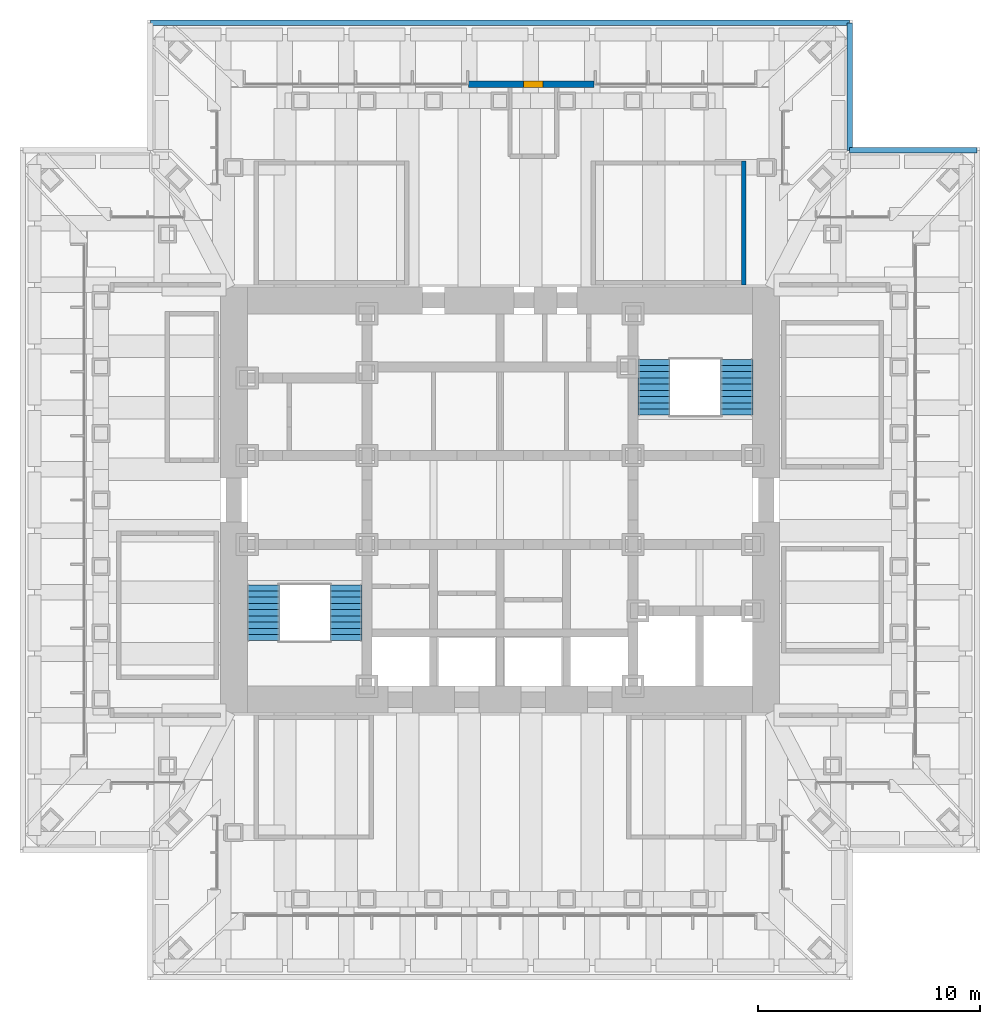
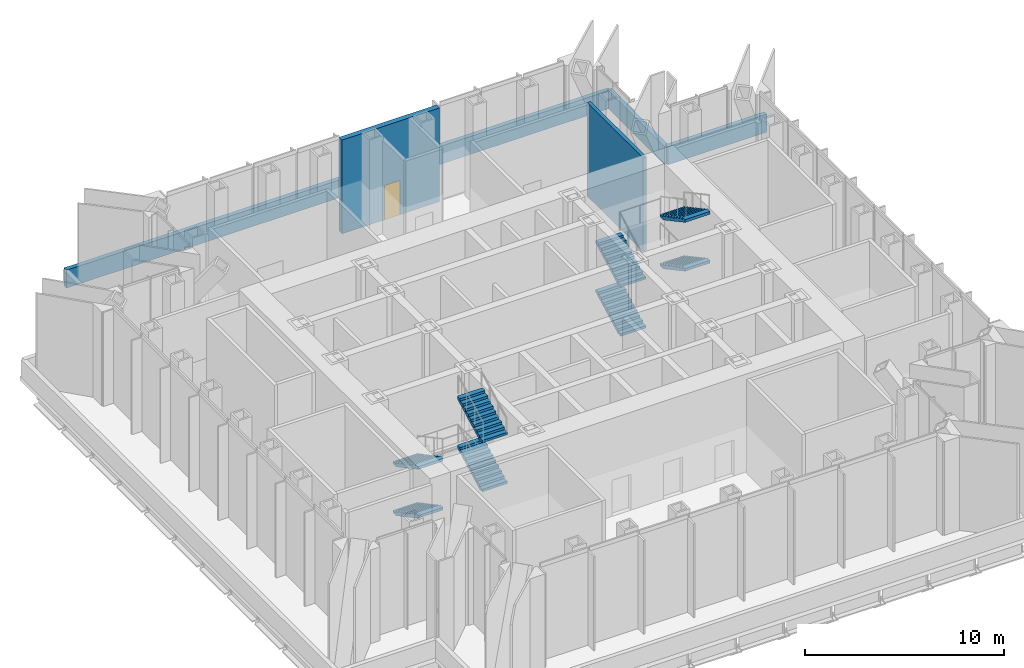
# One storey, part 11 of 13: 8 stair flights, 5 walls, 1 door, 1 opening, 2 elements without a shape of their own.
"""IFC4 building model written with IfcOpenShell, lengths in metres."""

from ifc_helpers import new_model, si_unit, direction, frame, frame_2d, origin, place, context, subcontext, project, spatial, polyline, rectangle, outline, extrude, material, layer, layer_set, type_object, element, fill, aggregate, save


model = new_model("IFC4")

# Units and contexts
model_context = context("Model", 3, precision=1e-05, world=origin(), true_north=direction((0.0, 1.0)))
body_context = subcontext(model_context, "Body", "Model", "MODEL_VIEW")
ifc_project = project(units=[si_unit("LENGTHUNIT", "METRE"), si_unit("AREAUNIT", "SQUARE_METRE"), si_unit("VOLUMEUNIT", "CUBIC_METRE"), si_unit("PLANEANGLEUNIT", "RADIAN"), si_unit("MASSUNIT", "GRAM", prefix="KILO")], contexts=[model_context])

# Site, building, storey
site_placement = place(None, origin())
site = spatial("IfcSite", under=ifc_project, at=site_placement, CompositionType="ELEMENT")
building_placement = place(site_placement, origin())
building = spatial("IfcBuilding", under=site, at=building_placement, Name="Daluyong Arena Tower", CompositionType="ELEMENT")
storey_placement = place(building_placement, frame((0.0, 0.0, 279.699951171875)))
storey = spatial("IfcBuildingStorey", under=building, at=storey_placement, Name="L63", CompositionType="ELEMENT", Elevation=279.699951171875)

# Wall
ifc_material_1 = material(Name="Concrete block partition", Category="concrete")
ifc_layer_1 = layer(ifc_material_1, 0.199951171875)
ifc_layer_set_1 = layer_set([ifc_layer_1], Name="Concrete block partition")
wall_type_1 = type_object("IfcWallType", Name="Partition 200", PredefinedType="PARTITIONING", material=ifc_layer_set_1)
wall_1_placement = place(storey_placement, frame((67.0, 89.699951171875, 0.0), z_axis=(0.0, 0.0, 1.0), x_axis=(0.0, 1.0, 0.0)))
element("IfcWall", 1, at=wall_1_placement, inside=storey, type_object=wall_type_1, Name="deck kitchen partition at L63", PredefinedType="PARTITIONING", context=body_context, shape_type="SweptSolid", body=[
    extrude(rectangle(XDim=5.60009765625, YDim=0.199951171875, at=frame_2d((2.800048828125, 0.0))), origin(), (0.0, 0.0, 1.0), 5.75),
])

# Wall, opening, door
ifc_material_2 = material(Name="Insulated bronze aluminium panel wall", Category="aluminium")
ifc_layer_2 = layer(ifc_material_2, 0.300048828125)
ifc_layer_set_2 = layer_set([ifc_layer_2], Name="Insulated bronze aluminium panel wall")
wall_type_2 = type_object("IfcWallType", Name="Roof access panel wall 300", PredefinedType="SOLIDWALL", material=ifc_layer_set_2)
wall_2_placement = place(storey_placement, frame((60.25, 98.75, 0.0), z_axis=(0.0, 0.0, 1.0), x_axis=(-1.0, 0.0, 0.0)))
wall_2 = element("IfcWall", 2, at=wall_2_placement, inside=storey, type_object=wall_type_2, Name="roof access panel wall L63 N", PredefinedType="SOLIDWALL", context=body_context, shape_type="SweptSolid", body=[
    extrude(rectangle(XDim=5.666748046875, YDim=0.300048828125, at=frame_2d((2.83349609375, 0.0))), origin(), (0.0, 0.0, 1.0), 5.75),
])
opening_placement = place(wall_2_placement, frame((2.300048828125, 0.0, 0.0)))
opening = element("IfcOpeningElement", 3, at=opening_placement, cuts=wall_2, Name="Opening 63045", PredefinedType="OPENING", context=body_context, shape_type="SweptSolid", body=[
    extrude(rectangle(XDim=0.89990234375, YDim=2.10009765625, at=frame_2d((0.449951171875, 1.050048828125))), frame((0.0, 0.159912109375, 0.0), z_axis=(0.0, -1.0, 0.0), x_axis=(1.0, 0.0, 0.0)), (0.0, 0.0, 1.0), 0.320068359375),
])
ifc_material_3 = material(Name="Insulated steel door, weather sealed", Category="steel")
door_type = type_object("IfcDoorType", Name="Roof access door 900", OperationType="SINGLE_SWING_RIGHT", PredefinedType="DOOR", material=ifc_material_3)
door_placement = place(opening_placement, frame((0.89990234375, 0.0, 0.0), z_axis=(0.0, 0.0, 1.0), x_axis=(-1.0, 0.0, 0.0)))
door = element("IfcDoor", 4, at=door_placement, inside=storey, type_object=door_type, Name="maintenance roof access door 63045", OperationType="SINGLE_SWING_RIGHT", OverallHeight=2.10009765625, OverallWidth=0.89990234375, PredefinedType="DOOR", context=body_context, shape_type="SweptSolid", body=[
    extrude(rectangle(XDim=0.89990234375, YDim=2.10009765625, at=frame_2d((0.449951171875, 1.050048828125))), frame((0.0, 0.14990234375, 0.0), z_axis=(0.0, -1.0, 0.0), x_axis=(1.0, 0.0, 0.0)), (0.0, 0.0, 1.0), 0.299560546875),
])
fill(opening, door)

# Walls
ifc_material_4 = material(Name="Precast concrete fc' 45 MPa", Category="concrete")
ifc_layer_3 = layer(ifc_material_4, 0.25)
ifc_layer_set_3 = layer_set([ifc_layer_3], Name="Precast concrete fc' 45 MPa")
wall_type_3 = type_object("IfcWallType", Name="Setback roof parapet 250", PredefinedType="PARAPET", material=ifc_layer_set_3)
wall_3_placement = place(storey_placement, frame((40.22509765625, 101.52490234375, 0.0), z_axis=(0.0, 0.0, 1.0), x_axis=(1.0, 0.0, 0.0)))
element("IfcWall", 5, at=wall_3_placement, inside=storey, type_object=wall_type_3, Name="setback roof parapet L63", PredefinedType="PARAPET", context=body_context, shape_type="SweptSolid", body=[
    extrude(rectangle(XDim=31.5498046875, YDim=0.25, at=frame_2d((15.77490234375, 0.0))), origin(), (0.0, 0.0, 1.0), 1.10009765625),
])
for number, where, z_axis, x_axis, name in (
    (6, (71.77490234375, 101.52490234375, 0.0), (0.0, 0.0, 1.0), (0.0, -1.0, 0.0), "setback roof parapet L63"),
    (7, (71.77490234375, 95.77490234375, 0.0), (0.0, 0.0, 1.0), (1.0, 0.0, 0.0), "setback roof parapet L63"),
):
    element("IfcWall", number, at=place(storey_placement, frame(where, z_axis=z_axis, x_axis=x_axis)), inside=storey, type_object=wall_type_3, Name=name, PredefinedType="PARAPET", context=body_context, shape_type="SweptSolid", body=[
        extrude(rectangle(XDim=5.75, YDim=0.25, at=frame_2d((2.875, 0.0))), origin(), (0.0, 0.0, 1.0), 1.10009765625),
    ])

# Stair, stair flights
ifc_material_5 = material(Name="Concrete fc' 35 MPa", Category="concrete")
stair_type = type_object("IfcStairType", Name="Core exit stair", PredefinedType="HALF_TURN_STAIR", material=ifc_material_5)
stair_1_placement = place(storey_placement, origin())
stair_1 = element("IfcStair", 8, at=stair_1_placement, inside=storey, type_object=stair_type, Name="exit stair A L63", PredefinedType="HALF_TURN_STAIR")
ifc_material_6 = material(Name="Concrete fc' 35 MPa", Category="concrete")
stair_flight_type = type_object("IfcStairFlightType", Name="Core stair flight", PredefinedType="STRAIGHT", material=ifc_material_6)
stair_flight_1_placement = place(storey_placement, frame((45.324951171875, 76.175048828125, 0.0), z_axis=(0.0, 0.0, 1.0), x_axis=(0.0, -1.0, 0.0)))
stair_flight_1 = element("IfcStairFlight", 9, at=stair_flight_1_placement, type_object=stair_flight_type, Name="STA flight 1", NumberOfRisers=10, NumberOfTreads=9, PredefinedType="STRAIGHT", RiserHeight=0.15, TreadLength=0.28, context=body_context, shape_type="SweptSolid", body=[
    extrude(outline(polyline([(0.0, 0.0), (0.0, 0.14990234375), (0.280029296875, 0.14990234375), (0.280029296875, 0.300048828125), (0.56005859375, 0.300048828125), (0.56005859375, 0.449951171875), (0.840087890625, 0.449951171875), (0.840087890625, 0.60009765625), (1.1201171875, 0.60009765625), (1.1201171875, 0.75), (1.39990234375, 0.75), (1.39990234375, 0.89990234375), (1.679931640625, 0.89990234375), (1.679931640625, 1.050048828125), (1.9599609375, 1.050048828125), (1.9599609375, 1.199951171875), (2.239990234375, 1.199951171875), (2.239990234375, 1.35009765625), (2.52001953125, 1.35009765625), (2.52001953125, 1.5), (2.52001953125, 1.179931640625), (0.3173828125, 0.0), (0.0, 0.0)])), frame((0.0, 0.72509765625, 0.0), z_axis=(0.0, -1.0, 0.0), x_axis=(1.0, 0.0, 0.0)), (0.0, 0.0, 1.0), 1.449951171875),
])
stair_flight_2_placement = place(storey_placement, frame((49.050048828125, 73.655029296875, 1.5), z_axis=(0.0, 0.0, 1.0), x_axis=(0.0, 1.0, 0.0)))
stair_flight_2 = element("IfcStairFlight", 10, at=stair_flight_2_placement, type_object=stair_flight_type, Name="STA flight 2", NumberOfRisers=10, NumberOfTreads=9, PredefinedType="STRAIGHT", RiserHeight=0.15, TreadLength=0.28, context=body_context, shape_type="SweptSolid", body=[
    extrude(outline(polyline([(0.0, 0.0), (0.0, 0.14990234375), (0.280029296875, 0.14990234375), (0.280029296875, 0.300048828125), (0.56005859375, 0.300048828125), (0.56005859375, 0.449951171875), (0.840087890625, 0.449951171875), (0.840087890625, 0.60009765625), (1.1201171875, 0.60009765625), (1.1201171875, 0.75), (1.39990234375, 0.75), (1.39990234375, 0.89990234375), (1.679931640625, 0.89990234375), (1.679931640625, 1.050048828125), (1.9599609375, 1.050048828125), (1.9599609375, 1.199951171875), (2.239990234375, 1.199951171875), (2.239990234375, 1.35009765625), (2.52001953125, 1.35009765625), (2.52001953125, 1.5), (2.52001953125, 1.179931640625), (0.3173828125, 0.0), (0.0, 0.0)])), frame((0.0, 0.72509765625, 0.0), z_axis=(0.0, -1.0, 0.0), x_axis=(1.0, 0.0, 0.0)), (0.0, 0.0, 1.0), 1.449951171875),
])
stair_flight_3_placement = place(storey_placement, frame((45.324951171875, 76.175048828125, 3.0), z_axis=(0.0, 0.0, 1.0), x_axis=(0.0, -1.0, 0.0)))
stair_flight_3 = element("IfcStairFlight", 11, at=stair_flight_3_placement, type_object=stair_flight_type, Name="STA flight 3", NumberOfRisers=10, NumberOfTreads=9, PredefinedType="STRAIGHT", RiserHeight=0.15, TreadLength=0.28, context=body_context, shape_type="SweptSolid", body=[
    extrude(outline(polyline([(0.0, 0.0), (0.0, 0.14990234375), (0.280029296875, 0.14990234375), (0.280029296875, 0.300048828125), (0.56005859375, 0.300048828125), (0.56005859375, 0.449951171875), (0.840087890625, 0.449951171875), (0.840087890625, 0.60009765625), (1.1201171875, 0.60009765625), (1.1201171875, 0.75), (1.39990234375, 0.75), (1.39990234375, 0.89990234375), (1.679931640625, 0.89990234375), (1.679931640625, 1.050048828125), (1.9599609375, 1.050048828125), (1.9599609375, 1.199951171875), (2.239990234375, 1.199951171875), (2.239990234375, 1.35009765625), (2.52001953125, 1.35009765625), (2.52001953125, 1.5), (2.52001953125, 1.179931640625), (0.3173828125, 0.0), (0.0, 0.0)])), frame((0.0, 0.72509765625, 0.0), z_axis=(0.0, -1.0, 0.0), x_axis=(1.0, 0.0, 0.0)), (0.0, 0.0, 1.0), 1.449951171875),
])
stair_flight_4_placement = place(storey_placement, frame((49.050048828125, 73.655029296875, 4.5), z_axis=(0.0, 0.0, 1.0), x_axis=(0.0, 1.0, 0.0)))
stair_flight_4 = element("IfcStairFlight", 12, at=stair_flight_4_placement, type_object=stair_flight_type, Name="STA flight 4", NumberOfRisers=10, NumberOfTreads=9, PredefinedType="STRAIGHT", RiserHeight=0.15, TreadLength=0.28, context=body_context, shape_type="SweptSolid", body=[
    extrude(outline(polyline([(0.0, 0.0), (0.0, 0.14990234375), (0.280029296875, 0.14990234375), (0.280029296875, 0.300048828125), (0.56005859375, 0.300048828125), (0.56005859375, 0.449951171875), (0.840087890625, 0.449951171875), (0.840087890625, 0.60009765625), (1.1201171875, 0.60009765625), (1.1201171875, 0.75), (1.39990234375, 0.75), (1.39990234375, 0.89990234375), (1.679931640625, 0.89990234375), (1.679931640625, 1.050048828125), (1.9599609375, 1.050048828125), (1.9599609375, 1.199951171875), (2.239990234375, 1.199951171875), (2.239990234375, 1.35009765625), (2.52001953125, 1.35009765625), (2.52001953125, 1.5), (2.52001953125, 1.179931640625), (0.3173828125, 0.0), (0.0, 0.0)])), frame((0.0, 0.72509765625, 0.0), z_axis=(0.0, -1.0, 0.0), x_axis=(1.0, 0.0, 0.0)), (0.0, 0.0, 1.0), 1.449951171875),
])
aggregate(stair_1, [stair_flight_1, stair_flight_2, stair_flight_3, stair_flight_4])

stair_2_placement = place(storey_placement, origin())
stair_2 = element("IfcStair", 13, at=stair_2_placement, inside=storey, type_object=stair_type, Name="exit stair B L63", PredefinedType="HALF_TURN_STAIR")
stair_flight_5_placement = place(storey_placement, frame((62.949951171875, 83.824951171875, 0.0), z_axis=(0.0, 0.0, 1.0), x_axis=(0.0, 1.0, 0.0)))
stair_flight_5 = element("IfcStairFlight", 14, at=stair_flight_5_placement, type_object=stair_flight_type, Name="STB flight 1", NumberOfRisers=10, NumberOfTreads=9, PredefinedType="STRAIGHT", RiserHeight=0.15, TreadLength=0.28, context=body_context, shape_type="SweptSolid", body=[
    extrude(outline(polyline([(0.0, 0.0), (0.0, 0.14990234375), (0.280029296875, 0.14990234375), (0.280029296875, 0.300048828125), (0.56005859375, 0.300048828125), (0.56005859375, 0.449951171875), (0.840087890625, 0.449951171875), (0.840087890625, 0.60009765625), (1.1201171875, 0.60009765625), (1.1201171875, 0.75), (1.39990234375, 0.75), (1.39990234375, 0.89990234375), (1.679931640625, 0.89990234375), (1.679931640625, 1.050048828125), (1.9599609375, 1.050048828125), (1.9599609375, 1.199951171875), (2.239990234375, 1.199951171875), (2.239990234375, 1.35009765625), (2.52001953125, 1.35009765625), (2.52001953125, 1.5), (2.52001953125, 1.179931640625), (0.3173828125, 0.0), (0.0, 0.0)])), frame((0.0, 0.72509765625, 0.0), z_axis=(0.0, -1.0, 0.0), x_axis=(1.0, 0.0, 0.0)), (0.0, 0.0, 1.0), 1.449951171875),
])
stair_flight_6_placement = place(storey_placement, frame((66.675048828125, 86.344970703125, 1.5), z_axis=(0.0, 0.0, 1.0), x_axis=(0.0, -1.0, 0.0)))
stair_flight_6 = element("IfcStairFlight", 15, at=stair_flight_6_placement, type_object=stair_flight_type, Name="STB flight 2", NumberOfRisers=10, NumberOfTreads=9, PredefinedType="STRAIGHT", RiserHeight=0.15, TreadLength=0.28, context=body_context, shape_type="SweptSolid", body=[
    extrude(outline(polyline([(0.0, 0.0), (0.0, 0.14990234375), (0.280029296875, 0.14990234375), (0.280029296875, 0.300048828125), (0.56005859375, 0.300048828125), (0.56005859375, 0.449951171875), (0.840087890625, 0.449951171875), (0.840087890625, 0.60009765625), (1.1201171875, 0.60009765625), (1.1201171875, 0.75), (1.39990234375, 0.75), (1.39990234375, 0.89990234375), (1.679931640625, 0.89990234375), (1.679931640625, 1.050048828125), (1.9599609375, 1.050048828125), (1.9599609375, 1.199951171875), (2.239990234375, 1.199951171875), (2.239990234375, 1.35009765625), (2.52001953125, 1.35009765625), (2.52001953125, 1.5), (2.52001953125, 1.179931640625), (0.3173828125, 0.0), (0.0, 0.0)])), frame((0.0, 0.72509765625, 0.0), z_axis=(0.0, -1.0, 0.0), x_axis=(1.0, 0.0, 0.0)), (0.0, 0.0, 1.0), 1.449951171875),
])
stair_flight_7_placement = place(storey_placement, frame((62.949951171875, 83.824951171875, 3.0), z_axis=(0.0, 0.0, 1.0), x_axis=(0.0, 1.0, 0.0)))
stair_flight_7 = element("IfcStairFlight", 16, at=stair_flight_7_placement, type_object=stair_flight_type, Name="STB flight 3", NumberOfRisers=10, NumberOfTreads=9, PredefinedType="STRAIGHT", RiserHeight=0.15, TreadLength=0.28, context=body_context, shape_type="SweptSolid", body=[
    extrude(outline(polyline([(0.0, 0.0), (0.0, 0.14990234375), (0.280029296875, 0.14990234375), (0.280029296875, 0.300048828125), (0.56005859375, 0.300048828125), (0.56005859375, 0.449951171875), (0.840087890625, 0.449951171875), (0.840087890625, 0.60009765625), (1.1201171875, 0.60009765625), (1.1201171875, 0.75), (1.39990234375, 0.75), (1.39990234375, 0.89990234375), (1.679931640625, 0.89990234375), (1.679931640625, 1.050048828125), (1.9599609375, 1.050048828125), (1.9599609375, 1.199951171875), (2.239990234375, 1.199951171875), (2.239990234375, 1.35009765625), (2.52001953125, 1.35009765625), (2.52001953125, 1.5), (2.52001953125, 1.179931640625), (0.3173828125, 0.0), (0.0, 0.0)])), frame((0.0, 0.72509765625, 0.0), z_axis=(0.0, -1.0, 0.0), x_axis=(1.0, 0.0, 0.0)), (0.0, 0.0, 1.0), 1.449951171875),
])
stair_flight_8_placement = place(storey_placement, frame((66.675048828125, 86.344970703125, 4.5), z_axis=(0.0, 0.0, 1.0), x_axis=(0.0, -1.0, 0.0)))
stair_flight_8 = element("IfcStairFlight", 17, at=stair_flight_8_placement, type_object=stair_flight_type, Name="STB flight 4", NumberOfRisers=10, NumberOfTreads=9, PredefinedType="STRAIGHT", RiserHeight=0.15, TreadLength=0.28, context=body_context, shape_type="SweptSolid", body=[
    extrude(outline(polyline([(0.0, 0.0), (0.0, 0.14990234375), (0.280029296875, 0.14990234375), (0.280029296875, 0.300048828125), (0.56005859375, 0.300048828125), (0.56005859375, 0.449951171875), (0.840087890625, 0.449951171875), (0.840087890625, 0.60009765625), (1.1201171875, 0.60009765625), (1.1201171875, 0.75), (1.39990234375, 0.75), (1.39990234375, 0.89990234375), (1.679931640625, 0.89990234375), (1.679931640625, 1.050048828125), (1.9599609375, 1.050048828125), (1.9599609375, 1.199951171875), (2.239990234375, 1.199951171875), (2.239990234375, 1.35009765625), (2.52001953125, 1.35009765625), (2.52001953125, 1.5), (2.52001953125, 1.179931640625), (0.3173828125, 0.0), (0.0, 0.0)])), frame((0.0, 0.72509765625, 0.0), z_axis=(0.0, -1.0, 0.0), x_axis=(1.0, 0.0, 0.0)), (0.0, 0.0, 1.0), 1.449951171875),
])
aggregate(stair_2, [stair_flight_5, stair_flight_6, stair_flight_7, stair_flight_8])

save(model, "model.ifc")
